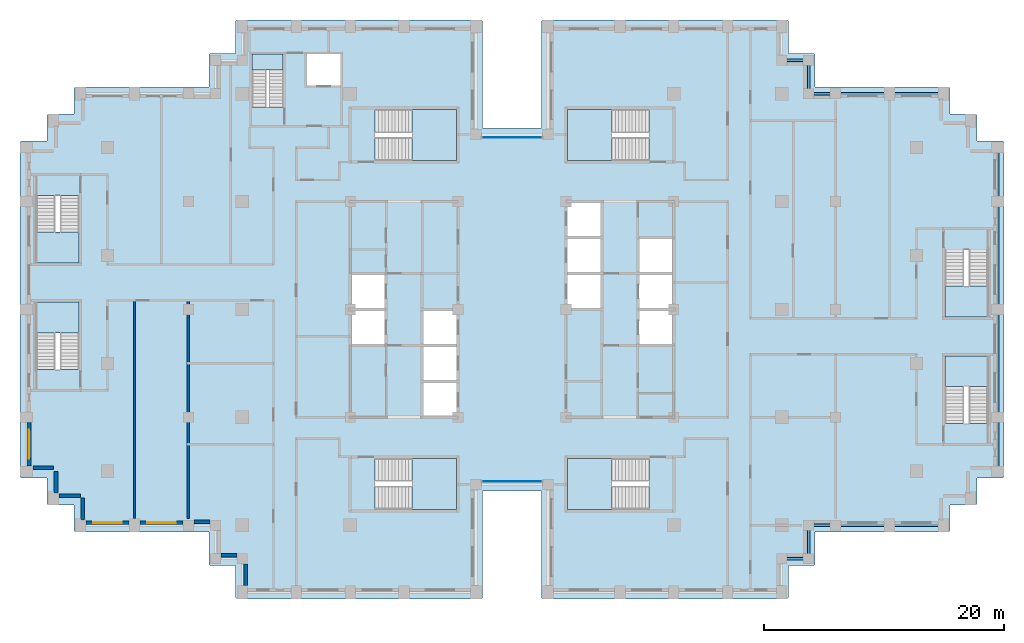
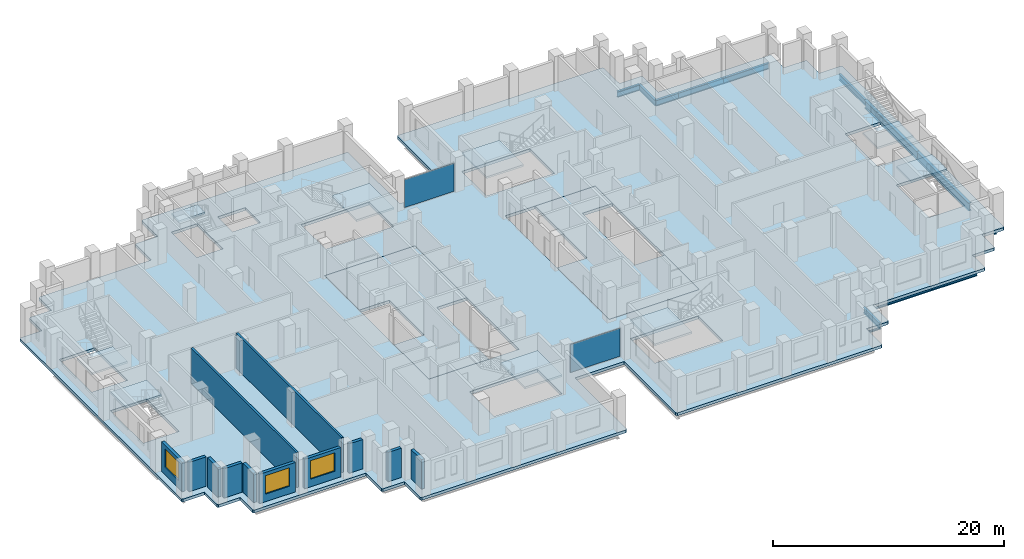
# One storey, part 5 of 16: 14 beams, 12 slabs, 12 walls, 3 windows, 2 plates, 3 openings, 11 elements without a shape of their own.
"""IFC4 building model written with IfcOpenShell, lengths in metres."""

from ifc_helpers import new_model, si_unit, direction, frame, frame_2d, origin, origin_2d, place, context, subcontext, project, spatial, polyline, rectangle, i_section, outline, extrude, material, layer, layer_set, material_profile, profile_set, type_object, element, fill, aggregate, save


model = new_model("IFC4")

# Units and contexts
model_context = context("Model", 3, precision=1e-05, world=origin(), true_north=direction((0.0, 1.0)))
body_context = subcontext(model_context, "Body", "Model", "MODEL_VIEW")
ifc_project = project(units=[si_unit("LENGTHUNIT", "METRE"), si_unit("AREAUNIT", "SQUARE_METRE"), si_unit("VOLUMEUNIT", "CUBIC_METRE"), si_unit("PLANEANGLEUNIT", "RADIAN"), si_unit("MASSUNIT", "GRAM", prefix="KILO")], contexts=[model_context])

# Site, building, storey
site_placement = place(None, origin())
site = spatial("IfcSite", under=ifc_project, at=site_placement, CompositionType="ELEMENT")
building_placement = place(site_placement, origin())
building = spatial("IfcBuilding", under=site, at=building_placement, Name="Corbelhall Arena Tower", CompositionType="ELEMENT")
storey_placement = place(building_placement, frame((0.0, 0.0, 154.0)))
storey = spatial("IfcBuildingStorey", under=building, at=storey_placement, Name="L30", CompositionType="ELEMENT", Elevation=154.0)

# Beams
ifc_material_1 = material(Name="Steel ASTM A992 Gr50", Category="steel")
ifc_material_profile_1 = material_profile(ifc_material_1, i_section(OverallWidth=0.22900390625, OverallDepth=0.612060546875, WebThickness=0.011962890625, FlangeThickness=0.01953125, at=origin_2d()))
ifc_profile_set_1 = profile_set([ifc_material_profile_1], Name="Steel ASTM A992 Gr50")
beam_type_1 = type_object("IfcBeamType", Name="ST-SPANDREL-W24x84", PredefinedType="SPANDREL", material=ifc_profile_set_1)
for number, where, z_axis, x_axis, name in (
    (1, (40.5, 13.5, -0.60595703125), (0.0, -1.0, 0.0), (1.0, 0.0, 0.0), "Beam SP 10"),
    (2, (40.5, -9.0, -0.60595703125), (0.0, -1.0, 0.0), (1.0, 0.0, 0.0), "Beam SP 11"),
    (3, (31.5, 18.0, -0.60595703125), (1.0, 0.0, 0.0), (0.0, 1.0, 0.0), "Beam SP 12"),
    (4, (31.5, -18.0, -0.60595703125), (-1.0, 0.0, 0.0), (0.0, -1.0, 0.0), "Beam SP 13"),
    (5, (36.0, -18.0, -0.60595703125), (-1.0, 0.0, 0.0), (0.0, -1.0, 0.0), "Beam SP 14"),
    (6, (27.0, 18.0, -0.60595703125), (1.0, 0.0, 0.0), (0.0, 1.0, 0.0), "Beam SP 15"),
):
    element("IfcBeam", number, at=place(storey_placement, frame(where, z_axis=z_axis, x_axis=x_axis)), inside=storey, type_object=beam_type_1, Name=name, PredefinedType="SPANDREL", context=body_context, shape_type="SweptSolid", body=[
        extrude(i_section(OverallWidth=0.22900390625, OverallDepth=0.612060546875, WebThickness=0.011962890625, FlangeThickness=0.01953125, at=origin_2d()), origin(), (0.0, 0.0, 1.0), 4.5),
    ])
for number, where, z_axis, x_axis, name in (
    (7, (27.0, -18.0, -0.60595703125), (-1.0, 0.0, 0.0), (0.0, -1.0, 0.0), "Beam SP 16"),
    (8, (22.5, 20.800048828125, -0.60595703125), (1.0, 0.0, 0.0), (0.0, 1.0, 0.0), "Beam SP 43"),
):
    element("IfcBeam", number, at=place(storey_placement, frame(where, z_axis=z_axis, x_axis=x_axis)), inside=storey, type_object=beam_type_1, Name=name, PredefinedType="SPANDREL", context=body_context, shape_type="SweptSolid", body=[
        extrude(i_section(OverallWidth=0.22900390625, OverallDepth=0.612060546875, WebThickness=0.011962890625, FlangeThickness=0.01953125, at=origin_2d()), origin(), (0.0, 0.0, 1.0), 2.25),
    ])
beam_1_placement = place(storey_placement, frame((24.75, 20.800048828125, -0.60595703125), z_axis=(0.0, -1.0, 0.0), x_axis=(1.0, 0.0, 0.0)))
element("IfcBeam", 9, at=beam_1_placement, inside=storey, type_object=beam_type_1, Name="Beam SP 44", PredefinedType="SPANDREL", context=body_context, shape_type="SweptSolid", body=[
    extrude(i_section(OverallWidth=0.22900390625, OverallDepth=0.612060546875, WebThickness=0.011962890625, FlangeThickness=0.01953125, at=origin_2d()), origin(), (0.0, 0.0, 1.0), 2.800048828125),
])
for number, where, z_axis, x_axis, name in (
    (10, (24.75, 18.0, -0.60595703125), (1.0, 0.0, 0.0), (0.0, 1.0, 0.0), "Beam SP 45"),
    (11, (24.75, -20.800048828125, -0.60595703125), (-1.0, 0.0, 0.0), (0.0, -1.0, 0.0), "Beam SP 50"),
):
    element("IfcBeam", number, at=place(storey_placement, frame(where, z_axis=z_axis, x_axis=x_axis)), inside=storey, type_object=beam_type_1, Name=name, PredefinedType="SPANDREL", context=body_context, shape_type="SweptSolid", body=[
        extrude(i_section(OverallWidth=0.22900390625, OverallDepth=0.612060546875, WebThickness=0.011962890625, FlangeThickness=0.01953125, at=origin_2d()), origin(), (0.0, 0.0, 1.0), 2.25),
    ])
beam_2_placement = place(storey_placement, frame((24.75, -18.0, -0.60595703125), z_axis=(0.0, -1.0, 0.0), x_axis=(1.0, 0.0, 0.0)))
element("IfcBeam", 12, at=beam_2_placement, inside=storey, type_object=beam_type_1, Name="Beam SP 51", PredefinedType="SPANDREL", context=body_context, shape_type="SweptSolid", body=[
    extrude(i_section(OverallWidth=0.22900390625, OverallDepth=0.612060546875, WebThickness=0.011962890625, FlangeThickness=0.01953125, at=origin_2d()), origin(), (0.0, 0.0, 1.0), 2.800048828125),
])
ifc_material_profile_2 = material_profile(ifc_material_1, i_section(OverallWidth=0.2919921875, OverallDepth=0.845703125, WebThickness=0.015380859375, FlangeThickness=0.0244140625, at=origin_2d()))
ifc_profile_set_2 = profile_set([ifc_material_profile_2], Name="Steel ASTM A992 Gr50")
beam_type_2 = type_object("IfcBeamType", Name="ST-SPANDREL-W33x141", PredefinedType="SPANDREL", material=ifc_profile_set_2)
for number, where, z_axis, x_axis, name in (
    (13, (40.5, 0.0, -0.722900390625), (0.0, -1.0, 0.0), (1.0, 0.0, 0.0), "Beam SP 8"),
    (14, (40.5, 9.0, -0.722900390625), (0.0, -1.0, 0.0), (1.0, 0.0, 0.0), "Beam SP 9"),
):
    element("IfcBeam", number, at=place(storey_placement, frame(where, z_axis=z_axis, x_axis=x_axis)), inside=storey, type_object=beam_type_2, Name=name, PredefinedType="SPANDREL", context=body_context, shape_type="SweptSolid", body=[
        extrude(i_section(OverallWidth=0.2919921875, OverallDepth=0.845703125, WebThickness=0.015380859375, FlangeThickness=0.0244140625, at=origin_2d()), origin(), (0.0, 0.0, 1.0), 9.0),
    ])

# Curtain wall, plate
ifc_material_2 = material(Name="Aluminium black anodised", Category="aluminium")
ifc_layer_1 = layer(ifc_material_2, 0.199951171875)
ifc_layer_set_1 = layer_set([ifc_layer_1], Name="EV-CW1 Slot back wall")
curtain_wall_type = type_object("IfcCurtainWallType", Name="EV-CW1 Slot back wall", PredefinedType="NOTDEFINED", material=ifc_layer_set_1)
curtain_wall_1_placement = place(storey_placement, origin())
curtain_wall_1 = element("IfcCurtainWall", 15, at=curtain_wall_1_placement, inside=storey, type_object=curtain_wall_type, Name="Curtain wall CW1", PredefinedType="NOTDEFINED")
ifc_material_3 = material(Name="Glass dark tinted laminated", Category="glass")
ifc_layer_2 = layer(ifc_material_3, 0.028076171875)
ifc_layer_set_2 = layer_set([ifc_layer_2], Name="EV-CW1-PANEL")
plate_type = type_object("IfcPlateType", Name="EV-CW1-PANEL", PredefinedType="CURTAIN_PANEL", material=ifc_layer_set_2)
plate_1_placement = place(storey_placement, frame((0.0, -14.35009765625, 0.0751953125), z_axis=(0.0, 0.0, 1.0), x_axis=(1.0, 0.0, 0.0)))
plate_1 = element("IfcPlate", 16, at=plate_1_placement, type_object=plate_type, Name="CW1 panel 1.1", PredefinedType="CURTAIN_PANEL", context=body_context, shape_type="SweptSolid", body=[
    extrude(rectangle(XDim=4.949951171875, YDim=0.028076171875, at=origin_2d()), origin(), (0.0, 0.0, 1.0), 2.949951171875),
])
aggregate(curtain_wall_1, [plate_1])

curtain_wall_2_placement = place(storey_placement, origin())
curtain_wall_2 = element("IfcCurtainWall", 17, at=curtain_wall_2_placement, inside=storey, type_object=curtain_wall_type, Name="Curtain wall CW1", PredefinedType="NOTDEFINED")
plate_2_placement = place(storey_placement, frame((0.0, 14.35009765625, 0.0751953125), z_axis=(0.0, 0.0, 1.0), x_axis=(-1.0, 0.0, 0.0)))
plate_2 = element("IfcPlate", 18, at=plate_2_placement, type_object=plate_type, Name="CW1 panel 1.1", PredefinedType="CURTAIN_PANEL", context=body_context, shape_type="SweptSolid", body=[
    extrude(rectangle(XDim=4.949951171875, YDim=0.028076171875, at=origin_2d()), origin(), (0.0, 0.0, 1.0), 2.949951171875),
])
aggregate(curtain_wall_2, [plate_2])

# Slabs
ifc_material_4 = material(Name="Concrete C40/50", Category="concrete")
ifc_layer_3 = layer(ifc_material_4, 0.300048828125)
ifc_layer_set_3 = layer_set([ifc_layer_3], Name="IN-SL-CORE")
slab_type_1 = type_object("IfcSlabType", Name="IN-SL-CORE", PredefinedType="FLOOR", material=ifc_layer_set_3)
slab_1_placement = place(storey_placement, frame((0.0, 0.0, -0.300048828125)))
element("IfcSlab", 19, at=slab_1_placement, inside=storey, type_object=slab_type_1, Name="Core floor W", PredefinedType="FLOOR", context=body_context, shape_type="SweptSolid", body=[
    extrude(outline(polyline([(-7.5, 0.0), (-4.5, 0.0), (-4.5, 9.0), (-13.5, 9.0), (-13.5, 3.0), (-10.5, 3.0), (-10.5, 0.0), (-10.5, -3.0), (-13.5, -3.0), (-13.5, -9.0), (-7.5, -9.0), (-7.5, -6.0), (-7.5, -3.0), (-7.5, 0.0)])), origin(), (0.0, 0.0, 1.0), 0.300048828125),
])
slab_2_placement = place(storey_placement, frame((0.0, 0.0, -0.300048828125)))
element("IfcSlab", 20, at=slab_2_placement, inside=storey, type_object=slab_type_1, Name="Core floor E", PredefinedType="FLOOR", context=body_context, shape_type="SweptSolid", body=[
    extrude(outline(polyline([(7.5, 0.0), (4.5, 0.0), (4.5, -9.0), (13.5, -9.0), (13.5, -3.0), (10.5, -3.0), (10.5, 0.0), (10.5, 3.0), (10.5, 6.0), (13.5, 6.0), (13.5, 9.0), (7.5, 9.0), (7.5, 6.0), (7.5, 3.0), (7.5, 0.0)])), origin(), (0.0, 0.0, 1.0), 0.300048828125),
])

# Stair, slab
stair_type = type_object("IfcStairType", Name="IN-ST-TOWER", PredefinedType="HALF_TURN_STAIR", material=ifc_material_4)
stair_1_placement = place(storey_placement, origin())
stair_1 = element("IfcStair", 21, at=stair_1_placement, inside=storey, type_object=stair_type, Name="L30 Exit stair ST1", PredefinedType="HALF_TURN_STAIR")
ifc_layer_4 = layer(ifc_material_4, 0.199951171875)
ifc_layer_set_4 = layer_set([ifc_layer_4], Name="IN-SL-LANDING")
slab_type_2 = type_object("IfcSlabType", Name="IN-SL-LANDING", PredefinedType="LANDING", material=ifc_layer_set_4)
slab_3_placement = place(storey_placement, frame((0.0, 0.0, 1.800048828125)))
slab_3 = element("IfcSlab", 22, at=slab_3_placement, type_object=slab_type_2, Name="ST1 landing 1", PredefinedType="LANDING", context=body_context, shape_type="SweptSolid", body=[
    extrude(outline(polyline([(-8.344970703125, 12.425048828125), (-4.625, 12.425048828125), (-4.625, 16.675048828125), (-8.344970703125, 16.675048828125), (-8.344970703125, 12.425048828125)])), origin(), (0.0, 0.0, 1.0), 0.199951171875),
])
aggregate(stair_1, [slab_3])

stair_2_placement = place(storey_placement, origin())
stair_2 = element("IfcStair", 23, at=stair_2_placement, inside=storey, type_object=stair_type, Name="L30 Exit stair ST2", PredefinedType="HALF_TURN_STAIR")
slab_4_placement = place(storey_placement, frame((0.0, 0.0, 1.800048828125)))
slab_4 = element("IfcSlab", 24, at=slab_4_placement, type_object=slab_type_2, Name="ST2 landing 1", PredefinedType="LANDING", context=body_context, shape_type="SweptSolid", body=[
    extrude(outline(polyline([(-8.344970703125, -16.675048828125), (-4.625, -16.675048828125), (-4.625, -12.425048828125), (-8.344970703125, -12.425048828125), (-8.344970703125, -16.675048828125)])), origin(), (0.0, 0.0, 1.0), 0.199951171875),
])
aggregate(stair_2, [slab_4])

stair_3_placement = place(storey_placement, origin())
stair_3 = element("IfcStair", 25, at=stair_3_placement, inside=storey, type_object=stair_type, Name="L30 Exit stair ST3", PredefinedType="HALF_TURN_STAIR")
slab_5_placement = place(storey_placement, frame((0.0, 0.0, 1.800048828125)))
slab_5 = element("IfcSlab", 26, at=slab_5_placement, type_object=slab_type_2, Name="ST3 landing 1", PredefinedType="LANDING", context=body_context, shape_type="SweptSolid", body=[
    extrude(outline(polyline([(8.344970703125, 16.675048828125), (4.625, 16.675048828125), (4.625, 12.425048828125), (8.344970703125, 12.425048828125), (8.344970703125, 16.675048828125)])), origin(), (0.0, 0.0, 1.0), 0.199951171875),
])
aggregate(stair_3, [slab_5])

stair_4_placement = place(storey_placement, origin())
stair_4 = element("IfcStair", 27, at=stair_4_placement, inside=storey, type_object=stair_type, Name="L30 Exit stair ST4", PredefinedType="HALF_TURN_STAIR")
slab_6_placement = place(storey_placement, frame((0.0, 0.0, 1.800048828125)))
slab_6 = element("IfcSlab", 28, at=slab_6_placement, type_object=slab_type_2, Name="ST4 landing 1", PredefinedType="LANDING", context=body_context, shape_type="SweptSolid", body=[
    extrude(outline(polyline([(8.344970703125, -12.425048828125), (4.625, -12.425048828125), (4.625, -16.675048828125), (8.344970703125, -16.675048828125), (8.344970703125, -12.425048828125)])), origin(), (0.0, 0.0, 1.0), 0.199951171875),
])
aggregate(stair_4, [slab_6])

stair_5_placement = place(storey_placement, origin())
stair_5 = element("IfcStair", 29, at=stair_5_placement, inside=storey, type_object=stair_type, Name="L30 Exit stair SC1", PredefinedType="HALF_TURN_STAIR")
slab_7_placement = place(storey_placement, frame((0.0, 0.0, 1.800048828125)))
slab_7 = element("IfcSlab", 30, at=slab_7_placement, type_object=slab_type_2, Name="SC1 landing 1", PredefinedType="LANDING", context=body_context, shape_type="SweptSolid", body=[
    extrude(outline(polyline([(-39.699951171875, 6.445068359375), (-39.699951171875, 3.875), (-36.125, 3.875), (-36.125, 6.445068359375), (-39.699951171875, 6.445068359375)])), origin(), (0.0, 0.0, 1.0), 0.199951171875),
])
aggregate(stair_5, [slab_7])

stair_6_placement = place(storey_placement, origin())
stair_6 = element("IfcStair", 31, at=stair_6_placement, inside=storey, type_object=stair_type, Name="L30 Exit stair SC2", PredefinedType="HALF_TURN_STAIR")
slab_8_placement = place(storey_placement, frame((0.0, 0.0, 1.800048828125)))
slab_8 = element("IfcSlab", 32, at=slab_8_placement, type_object=slab_type_2, Name="SC2 landing 1", PredefinedType="LANDING", context=body_context, shape_type="SweptSolid", body=[
    extrude(outline(polyline([(-36.125, -1.945068359375), (-36.125, 0.625), (-39.699951171875, 0.625), (-39.699951171875, -1.945068359375), (-36.125, -1.945068359375)])), origin(), (0.0, 0.0, 1.0), 0.199951171875),
])
aggregate(stair_6, [slab_8])

stair_7_placement = place(storey_placement, origin())
stair_7 = element("IfcStair", 33, at=stair_7_placement, inside=storey, type_object=stair_type, Name="L30 Exit stair SD1", PredefinedType="HALF_TURN_STAIR")
slab_9_placement = place(storey_placement, frame((0.0, 0.0, 1.800048828125)))
slab_9 = element("IfcSlab", 34, at=slab_9_placement, type_object=slab_type_2, Name="SD1 landing 1", PredefinedType="LANDING", context=body_context, shape_type="SweptSolid", body=[
    extrude(outline(polyline([(39.699951171875, -6.445068359375), (39.699951171875, -3.875), (36.125, -3.875), (36.125, -6.445068359375), (39.699951171875, -6.445068359375)])), origin(), (0.0, 0.0, 1.0), 0.199951171875),
])
aggregate(stair_7, [slab_9])

stair_8_placement = place(storey_placement, origin())
stair_8 = element("IfcStair", 35, at=stair_8_placement, inside=storey, type_object=stair_type, Name="L30 Exit stair SD2", PredefinedType="HALF_TURN_STAIR")
slab_10_placement = place(storey_placement, frame((0.0, 0.0, 1.800048828125)))
slab_10 = element("IfcSlab", 36, at=slab_10_placement, type_object=slab_type_2, Name="SD2 landing 1", PredefinedType="LANDING", context=body_context, shape_type="SweptSolid", body=[
    extrude(outline(polyline([(36.125, 1.945068359375), (36.125, -0.625), (39.699951171875, -0.625), (39.699951171875, 1.945068359375), (36.125, 1.945068359375)])), origin(), (0.0, 0.0, 1.0), 0.199951171875),
])
aggregate(stair_8, [slab_10])

stair_9_placement = place(storey_placement, origin())
stair_9 = element("IfcStair", 37, at=stair_9_placement, inside=storey, type_object=stair_type, Name="L30 Exit stair ST5", PredefinedType="HALF_TURN_STAIR")
slab_11_placement = place(storey_placement, frame((0.0, 0.0, 1.800048828125)))
slab_11 = element("IfcSlab", 38, at=slab_11_placement, type_object=slab_type_2, Name="ST5 landing 1", PredefinedType="LANDING", context=body_context, shape_type="SweptSolid", body=[
    extrude(outline(polyline([(-19.094970703125, 19.97998046875), (-19.094970703125, 21.300048828125), (-21.695068359375, 21.300048828125), (-21.695068359375, 19.97998046875), (-19.094970703125, 19.97998046875)])), origin(), (0.0, 0.0, 1.0), 0.199951171875),
])
aggregate(stair_9, [slab_11])

# Slab
ifc_layer_5 = layer(ifc_material_4, 0.300048828125)
ifc_layer_set_5 = layer_set([ifc_layer_5], Name="ST-SLAB-FLOOR-300")
slab_type_3 = type_object("IfcSlabType", Name="ST-SLAB-FLOOR-300", PredefinedType="FLOOR", material=ifc_layer_set_5)
slab_12_placement = place(storey_placement, frame((0.0, 0.0, -0.300048828125)))
element("IfcSlab", 39, at=slab_12_placement, inside=storey, type_object=slab_type_3, Name="Floor slab L30 1", PredefinedType="FLOOR", context=body_context, shape_type="SweptSolid", body=[
    extrude(outline(polyline([(25.300048828125, 18.550048828125), (25.300048828125, 21.25), (25.199951171875, 21.35009765625), (23.050048828125, 21.35009765625), (23.050048828125, 24.050048828125), (22.949951171875, 24.14990234375), (2.550048828125, 24.14990234375), (2.449951171875, 24.050048828125), (2.449951171875, 15.14990234375), (-2.449951171875, 15.14990234375), (-2.449951171875, 24.050048828125), (-2.550048828125, 24.14990234375), (-22.949951171875, 24.14990234375), (-23.050048828125, 24.050048828125), (-23.050048828125, 21.35009765625), (-25.199951171875, 21.35009765625), (-25.300048828125, 21.25), (-25.300048828125, 18.550048828125), (-36.449951171875, 18.550048828125), (-36.550048828125, 18.449951171875), (-36.550048828125, 16.300048828125), (-38.699951171875, 16.300048828125), (-38.800048828125, 16.199951171875), (-38.800048828125, 14.050048828125), (-40.949951171875, 14.050048828125), (-41.050048828125, 13.949951171875), (-41.050048828125, -13.949951171875), (-40.949951171875, -14.050048828125), (-38.800048828125, -14.050048828125), (-38.800048828125, -16.199951171875), (-38.699951171875, -16.300048828125), (-36.550048828125, -16.300048828125), (-36.550048828125, -18.449951171875), (-36.449951171875, -18.550048828125), (-25.300048828125, -18.550048828125), (-25.300048828125, -21.25), (-25.199951171875, -21.35009765625), (-23.050048828125, -21.35009765625), (-23.050048828125, -24.050048828125), (-22.949951171875, -24.14990234375), (-2.550048828125, -24.14990234375), (-2.449951171875, -24.050048828125), (-2.449951171875, -15.14990234375), (2.449951171875, -15.14990234375), (2.449951171875, -24.050048828125), (2.550048828125, -24.14990234375), (22.949951171875, -24.14990234375), (23.050048828125, -24.050048828125), (23.050048828125, -21.35009765625), (25.199951171875, -21.35009765625), (25.300048828125, -21.25), (25.300048828125, -18.550048828125), (36.449951171875, -18.550048828125), (36.550048828125, -18.449951171875), (36.550048828125, -16.300048828125), (38.699951171875, -16.300048828125), (38.800048828125, -16.199951171875), (38.800048828125, -14.050048828125), (40.949951171875, -14.050048828125), (41.050048828125, -13.949951171875), (41.050048828125, 13.949951171875), (40.949951171875, 14.050048828125), (38.800048828125, 14.050048828125), (38.800048828125, 16.199951171875), (38.699951171875, 16.300048828125), (36.550048828125, 16.300048828125), (36.550048828125, 18.449951171875), (36.449951171875, 18.550048828125), (25.300048828125, 18.550048828125)]), holes=[polyline([(-13.5, 9.0), (-13.5, -9.0), (-4.5, -9.0), (-4.5, 9.0), (-13.5, 9.0)]), polyline([(4.5, 9.0), (4.5, -9.0), (13.5, -9.0), (13.5, 9.0), (4.5, 9.0)]), polyline([(-4.625, 16.675048828125), (-11.422119140625, 16.675048828125), (-11.422119140625, 12.425048828125), (-4.625, 12.425048828125), (-4.625, 16.675048828125)]), polyline([(-4.625, -16.675048828125), (-4.625, -12.425048828125), (-11.422119140625, -12.425048828125), (-11.422119140625, -16.675048828125), (-4.625, -16.675048828125)]), polyline([(11.422119140625, 16.675048828125), (4.625, 16.675048828125), (4.625, 12.425048828125), (11.422119140625, 12.425048828125), (11.422119140625, 16.675048828125)]), polyline([(11.422119140625, -16.675048828125), (11.422119140625, -12.425048828125), (4.625, -12.425048828125), (4.625, -16.675048828125), (11.422119140625, -16.675048828125)]), polyline([(-36.125, 3.875), (-36.125, 9.52197265625), (-39.699951171875, 9.52197265625), (-39.699951171875, 3.875), (-36.125, 3.875)]), polyline([(-36.125, 0.625), (-39.699951171875, 0.625), (-39.699951171875, -5.02197265625), (-36.125, -5.02197265625), (-36.125, 0.625)]), polyline([(39.699951171875, -9.52197265625), (39.699951171875, -3.875), (36.125, -3.875), (36.125, -9.52197265625), (39.699951171875, -9.52197265625)]), polyline([(39.699951171875, 5.02197265625), (36.125, 5.02197265625), (36.125, -0.625), (39.699951171875, -0.625), (39.699951171875, 5.02197265625)]), polyline([(-21.695068359375, 21.300048828125), (-21.695068359375, 16.903076171875), (-19.094970703125, 16.903076171875), (-19.094970703125, 21.300048828125), (-21.695068359375, 21.300048828125)]), polyline([(-14.300048828125, 21.300048828125), (-17.10009765625, 21.300048828125), (-17.10009765625, 18.699951171875), (-14.300048828125, 18.699951171875), (-14.300048828125, 21.300048828125)])]), origin(), (0.0, 0.0, 1.0), 0.300048828125),
])

# Walls
ifc_material_5 = material(Name="Precast concrete C40/50 with granite facing", Category="masonry")
ifc_layer_6 = layer(ifc_material_5, 0.300048828125)
ifc_layer_set_6 = layer_set([ifc_layer_6], Name="EV-IW1 Infill panel 300")
wall_type_1 = type_object("IfcWallType", Name="EV-IW1 Infill panel 300", PredefinedType="SOLIDWALL", material=ifc_layer_set_6)
wall_1_placement = place(storey_placement, frame((-39.949951171875, -13.199951171875, 0.0), z_axis=(0.0, 0.0, 1.0), x_axis=(1.0, 0.0, 0.0)))
element("IfcWall", 40, at=wall_1_placement, inside=storey, type_object=wall_type_1, Name="Infill panel IW1", PredefinedType="SOLIDWALL", context=body_context, shape_type="SweptSolid", body=[
    extrude(rectangle(XDim=1.699951171875, YDim=0.300048828125, at=frame_2d((0.85009765625, 0.0))), origin(), (0.0, 0.0, 1.0), 3.10009765625),
])
for number, where, z_axis, x_axis, name in (
    (41, (-38.050048828125, -15.300048828125, 0.0), (0.0, 0.0, 1.0), (0.0, 1.0, 0.0), "Infill panel IW1"),
    (42, (-37.800048828125, -15.550048828125, 0.0), (0.0, 0.0, 1.0), (1.0, 0.0, 0.0), "Infill panel IW1"),
    (43, (-35.800048828125, -17.550048828125, 0.0), (0.0, 0.0, 1.0), (0.0, 1.0, 0.0), "Infill panel IW1"),
):
    element("IfcWall", number, at=place(storey_placement, frame(where, z_axis=z_axis, x_axis=x_axis)), inside=storey, type_object=wall_type_1, Name=name, PredefinedType="SOLIDWALL", context=body_context, shape_type="SweptSolid", body=[
        extrude(rectangle(XDim=1.800048828125, YDim=0.300048828125, at=frame_2d((0.89990234375, 0.0))), origin(), (0.0, 0.0, 1.0), 3.10009765625),
    ])

# Wall, opening, window
wall_2_placement = place(storey_placement, frame((-40.300048828125, -9.449951171875, 0.0), z_axis=(0.0, 0.0, 1.0), x_axis=(0.0, -1.0, 0.0)))
wall_2 = element("IfcWall", 44, at=wall_2_placement, inside=storey, type_object=wall_type_1, Name="Infill panel IW1", PredefinedType="SOLIDWALL", context=body_context, shape_type="SweptSolid", body=[
    extrude(rectangle(XDim=3.60009765625, YDim=0.300048828125, at=frame_2d((1.800048828125, 0.0))), origin(), (0.0, 0.0, 1.0), 3.10009765625),
])
opening_1_placement = place(wall_2_placement, frame((0.60009765625, 0.0, 0.800048828125)))
opening_1 = element("IfcOpeningElement", 45, at=opening_1_placement, cuts=wall_2, Name="Opening WN1", PredefinedType="OPENING", context=body_context, shape_type="SweptSolid", body=[
    extrude(rectangle(XDim=2.39990234375, YDim=1.949951171875, at=frame_2d((1.199951171875, 0.97509765625))), frame((0.0, 0.14990234375, 0.0), z_axis=(0.0, -1.0, 0.0), x_axis=(1.0, 0.0, 0.0)), (0.0, 0.0, 1.0), 0.300048828125),
])
window_type = type_object("IfcWindowType", Name="EV-WN1 Office window", PartitioningType="SINGLE_PANEL", PredefinedType="WINDOW", material=ifc_material_2)
window_1_placement = place(opening_1_placement, origin())
window_1 = element("IfcWindow", 46, at=window_1_placement, inside=storey, type_object=window_type, Name="Window WN1", OverallHeight=1.949951171875, OverallWidth=2.39990234375, PartitioningType="SINGLE_PANEL", PredefinedType="WINDOW", context=body_context, shape_type="SweptSolid", body=[
    extrude(rectangle(XDim=2.39990234375, YDim=1.949951171875, at=frame_2d((1.199951171875, 0.97509765625))), frame((0.0, 0.030029296875, 0.0), z_axis=(0.0, -1.0, 0.0), x_axis=(1.0, 0.0, 0.0)), (0.0, 0.0, 1.0), 0.06005859375),
])
fill(opening_1, window_1)

wall_3_placement = place(storey_placement, frame((-35.550048828125, -17.800048828125, 0.0), z_axis=(0.0, 0.0, 1.0), x_axis=(1.0, 0.0, 0.0)))
wall_3 = element("IfcWall", 47, at=wall_3_placement, inside=storey, type_object=wall_type_1, Name="Infill panel IW1", PredefinedType="SOLIDWALL", context=body_context, shape_type="SweptSolid", body=[
    extrude(rectangle(XDim=3.60009765625, YDim=0.300048828125, at=frame_2d((1.800048828125, 0.0))), origin(), (0.0, 0.0, 1.0), 3.10009765625),
])
opening_2_placement = place(wall_3_placement, frame((0.60009765625, 0.0, 0.800048828125)))
opening_2 = element("IfcOpeningElement", 48, at=opening_2_placement, cuts=wall_3, Name="Opening WN1", PredefinedType="OPENING", context=body_context, shape_type="SweptSolid", body=[
    extrude(rectangle(XDim=2.39990234375, YDim=1.949951171875, at=frame_2d((1.199951171875, 0.97509765625))), frame((0.0, 0.14990234375, 0.0), z_axis=(0.0, -1.0, 0.0), x_axis=(1.0, 0.0, 0.0)), (0.0, 0.0, 1.0), 0.300048828125),
])
window_2_placement = place(opening_2_placement, origin())
window_2 = element("IfcWindow", 49, at=window_2_placement, inside=storey, type_object=window_type, Name="Window WN1", OverallHeight=1.949951171875, OverallWidth=2.39990234375, PartitioningType="SINGLE_PANEL", PredefinedType="WINDOW", context=body_context, shape_type="SweptSolid", body=[
    extrude(rectangle(XDim=2.39990234375, YDim=1.949951171875, at=frame_2d((1.199951171875, 0.97509765625))), frame((0.0, 0.030029296875, 0.0), z_axis=(0.0, -1.0, 0.0), x_axis=(1.0, 0.0, 0.0)), (0.0, 0.0, 1.0), 0.06005859375),
])
fill(opening_2, window_2)

wall_4_placement = place(storey_placement, frame((-31.050048828125, -17.800048828125, 0.0), z_axis=(0.0, 0.0, 1.0), x_axis=(1.0, 0.0, 0.0)))
wall_4 = element("IfcWall", 50, at=wall_4_placement, inside=storey, type_object=wall_type_1, Name="Infill panel IW1", PredefinedType="SOLIDWALL", context=body_context, shape_type="SweptSolid", body=[
    extrude(rectangle(XDim=3.60009765625, YDim=0.300048828125, at=frame_2d((1.800048828125, 0.0))), origin(), (0.0, 0.0, 1.0), 3.10009765625),
])
opening_3_placement = place(wall_4_placement, frame((0.60009765625, 0.0, 0.800048828125)))
opening_3 = element("IfcOpeningElement", 51, at=opening_3_placement, cuts=wall_4, Name="Opening WN1", PredefinedType="OPENING", context=body_context, shape_type="SweptSolid", body=[
    extrude(rectangle(XDim=2.39990234375, YDim=1.949951171875, at=frame_2d((1.199951171875, 0.97509765625))), frame((0.0, 0.14990234375, 0.0), z_axis=(0.0, -1.0, 0.0), x_axis=(1.0, 0.0, 0.0)), (0.0, 0.0, 1.0), 0.300048828125),
])
window_3_placement = place(opening_3_placement, origin())
window_3 = element("IfcWindow", 52, at=window_3_placement, inside=storey, type_object=window_type, Name="Window WN1", OverallHeight=1.949951171875, OverallWidth=2.39990234375, PartitioningType="SINGLE_PANEL", PredefinedType="WINDOW", context=body_context, shape_type="SweptSolid", body=[
    extrude(rectangle(XDim=2.39990234375, YDim=1.949951171875, at=frame_2d((1.199951171875, 0.97509765625))), frame((0.0, 0.030029296875, 0.0), z_axis=(0.0, -1.0, 0.0), x_axis=(1.0, 0.0, 0.0)), (0.0, 0.0, 1.0), 0.06005859375),
])
fill(opening_3, window_3)

# Walls
for number, where, z_axis, x_axis, name in (
    (53, (-26.550048828125, -17.699951171875, 0.0), (0.0, 0.0, 1.0), (1.0, 0.0, 0.0), "Infill panel IW1"),
    (54, (-24.300048828125, -20.5, 0.0), (0.0, 0.0, 1.0), (1.0, 0.0, 0.0), "Infill panel IW1"),
):
    element("IfcWall", number, at=place(storey_placement, frame(where, z_axis=z_axis, x_axis=x_axis)), inside=storey, type_object=wall_type_1, Name=name, PredefinedType="SOLIDWALL", context=body_context, shape_type="SweptSolid", body=[
        extrude(rectangle(XDim=1.35009765625, YDim=0.300048828125, at=frame_2d((0.675048828125, 0.0))), origin(), (0.0, 0.0, 1.0), 3.10009765625),
    ])
wall_5_placement = place(storey_placement, frame((-22.199951171875, -21.25, 0.0), z_axis=(0.0, 0.0, 1.0), x_axis=(0.0, -1.0, 0.0)))
element("IfcWall", 55, at=wall_5_placement, inside=storey, type_object=wall_type_1, Name="Infill panel IW1", PredefinedType="SOLIDWALL", context=body_context, shape_type="SweptSolid", body=[
    extrude(rectangle(XDim=1.800048828125, YDim=0.300048828125, at=frame_2d((0.89990234375, 0.0))), origin(), (0.0, 0.0, 1.0), 3.10009765625),
])
ifc_material_6 = material(Name="Gypsum board on steel stud, acoustic", Category="steel")
ifc_layer_7 = layer(ifc_material_6, 0.199951171875)
ifc_layer_set_7 = layer_set([ifc_layer_7], Name="IN-W-DM200")
wall_type_2 = type_object("IfcWallType", Name="IN-W-DM200", PredefinedType="PARTITIONING", material=ifc_layer_set_7)
for number, where, z_axis, x_axis, name in (
    (56, (-31.5, 0.75, 0.0), (0.0, 0.0, 1.0), (0.0, -1.0, 0.0), "Partition 006"),
    (57, (-27.0, -17.449951171875, 0.0), (0.0, 0.0, 1.0), (0.0, 1.0, 0.0), "Partition 011"),
):
    element("IfcWall", number, at=place(storey_placement, frame(where, z_axis=z_axis, x_axis=x_axis)), inside=storey, type_object=wall_type_2, Name=name, PredefinedType="PARTITIONING", context=body_context, shape_type="SweptSolid", body=[
        extrude(rectangle(XDim=18.199951171875, YDim=0.199951171875, at=frame_2d((9.10009765625, 0.0))), origin(), (0.0, 0.0, 1.0), 3.699951171875),
    ])

save(model, "model.ifc")
